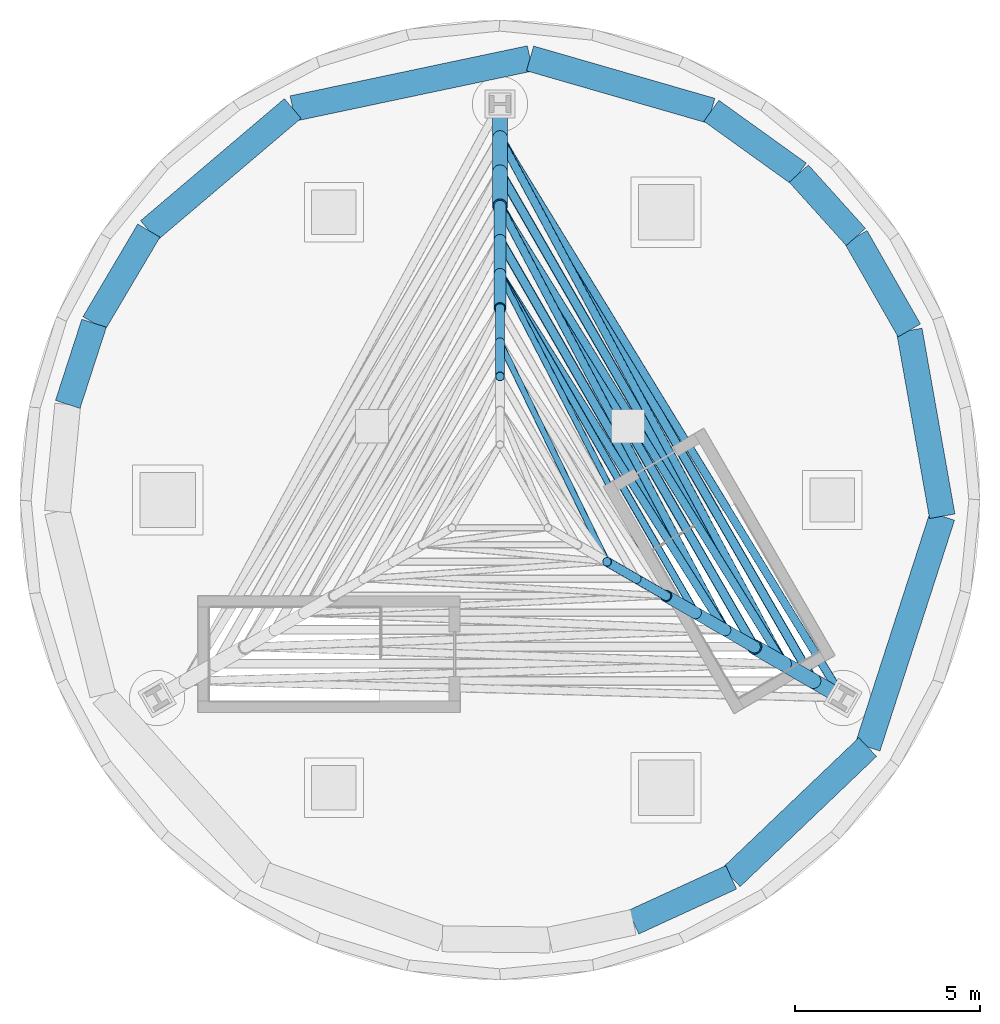
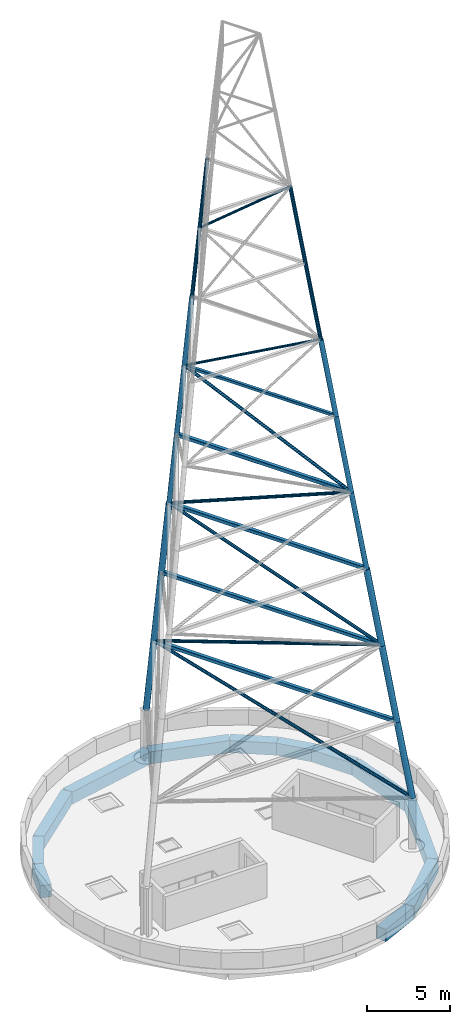
# One storey, part 2 of 4: 28 members, 12 beams.
"""IFC4 building model written with IfcOpenShell, lengths in metres."""

from ifc_helpers import new_model, si_unit, direction, frame, origin, origin_2d, place, context, subcontext, project, spatial, rectangle, hollow_rectangle, hollow_circle, extrude, material, material_profile, profile_set, type_object, element, save


model = new_model("IFC4")

# Units and contexts
model_context = context("Model", 3, precision=1e-05, world=origin(), true_north=direction((0.0, 1.0)))
body_context = subcontext(model_context, "Body", "Model", "MODEL_VIEW")
ifc_project = project(units=[si_unit("LENGTHUNIT", "METRE"), si_unit("AREAUNIT", "SQUARE_METRE"), si_unit("VOLUMEUNIT", "CUBIC_METRE"), si_unit("PLANEANGLEUNIT", "RADIAN"), si_unit("MASSUNIT", "GRAM", prefix="KILO")], contexts=[model_context])

# Site, building, storey
site_placement = place(None, origin())
site = spatial("IfcSite", under=ifc_project, at=site_placement, CompositionType="ELEMENT")
building_placement = place(site_placement, origin())
building = spatial("IfcBuilding", under=site, at=building_placement, Name="Tramontana Tower", CompositionType="ELEMENT")
storey_placement = place(building_placement, frame((0.0, 0.0, 392.89990234375)))
storey = spatial("IfcBuildingStorey", under=building, at=storey_placement, Name="RF", CompositionType="ELEMENT", Elevation=392.89990234375)

# Members
ifc_material_1 = material(Name="Steel ASTM A500 Grade C", Category="steel")
ifc_material_profile_1 = material_profile(ifc_material_1, hollow_circle(Radius=0.126953125, WallThickness=0.01171875, at=origin_2d()), Name="HSS10.000X0.500")
ifc_profile_set_1 = profile_set([ifc_material_profile_1], Name="Steel ASTM A500 Grade C")
member_type_1 = type_object("IfcMemberType", Name="Mast HSS10.000X0.500 chord", PredefinedType="CHORD", material=ifc_profile_set_1)
for number, where, z_axis, x_axis, name in (
    (1, (0.0, 5.18994140625, 37.440185546875), (0.0, -0.161398546018, 0.98688930957), (1.0, 0.0, 0.0), "Mast leg 1.7"),
    (2, (4.49462890625, -2.594970703125, 37.440185546875), (-0.139781776217, 0.080699197822, 0.986888390097), (-0.499982117899, -0.866035727774, 0.0), "Mast leg 3.7"),
):
    element("IfcMember", number, at=place(storey_placement, frame(where, z_axis=z_axis, x_axis=x_axis)), inside=storey, type_object=member_type_1, Name=name, PredefinedType="CHORD", context=body_context, shape_type="SweptSolid", body=[
        extrude(hollow_circle(Radius=0.126953125, WallThickness=0.01171875, at=origin_2d()), origin(), (0.0, 0.0, 1.0), 5.71484375),
    ])
for number, where, z_axis, x_axis, name in (
    (3, (0.0, 4.267578125, 43.080078125), (0.0, -0.161433347342, 0.986883617437), (1.0, 0.0, 0.0), "Mast leg 1.8"),
    (4, (3.69580078125, -2.1337890625, 43.080078125), (-0.139775883199, 0.080695795649, 0.986889502954), (-0.499982117899, -0.866035727774, 0.0), "Mast leg 3.8"),
):
    element("IfcMember", number, at=place(storey_placement, frame(where, z_axis=z_axis, x_axis=x_axis)), inside=storey, type_object=member_type_1, Name=name, PredefinedType="CHORD", context=body_context, shape_type="SweptSolid", body=[
        extrude(hollow_circle(Radius=0.126953125, WallThickness=0.01171875, at=origin_2d()), origin(), (0.0, 0.0, 1.0), 5.715087890625),
    ])
ifc_material_2 = material(Name="Steel ASTM A500 Grade C", Category="steel")
ifc_material_profile_2 = material_profile(ifc_material_2, hollow_rectangle(XDim=0.25390625, YDim=0.25390625, WallThickness=0.01171875, InnerFilletRadius=0.01171875, OuterFilletRadius=0.023681640625, at=origin_2d()), Name="HSS10X10X1/2")
ifc_profile_set_2 = profile_set([ifc_material_profile_2], Name="Steel ASTM A500 Grade C")
member_type_2 = type_object("IfcMemberType", Name="Mast HSS10X10X1/2 strut", PredefinedType="STRUT", material=ifc_profile_set_2)
member_1_placement = place(storey_placement, frame((8.4892578125, -4.9013671875, 9.239990234375), z_axis=(-0.499999194801, 0.866025868666, 0.0), x_axis=(-0.866025868666, -0.499999194801, 0.0)))
element("IfcMember", 5, at=member_1_placement, inside=storey, type_object=member_type_2, Name="Mast ring brace 3.1", PredefinedType="STRUT", context=body_context, shape_type="SweptSolid", body=[
    extrude(hollow_rectangle(XDim=0.25390625, YDim=0.25390625, WallThickness=0.01171875, InnerFilletRadius=0.01171875, OuterFilletRadius=0.023681640625, at=origin_2d()), origin(), (0.0, 0.0, 1.0), 16.978515625),
])
member_2_placement = place(storey_placement, frame((7.690185546875, -4.43994140625, 14.880126953125), z_axis=(-0.499999095372, 0.866025926071, 0.0), x_axis=(-0.866025926071, -0.499999095372, 0.0)))
element("IfcMember", 6, at=member_2_placement, inside=storey, type_object=member_type_2, Name="Mast ring brace 3.2", PredefinedType="STRUT", context=body_context, shape_type="SweptSolid", body=[
    extrude(hollow_rectangle(XDim=0.25390625, YDim=0.25390625, WallThickness=0.01171875, InnerFilletRadius=0.01171875, OuterFilletRadius=0.023681640625, at=origin_2d()), origin(), (0.0, 0.0, 1.0), 15.38037109375),
])
member_3_placement = place(storey_placement, frame((6.891357421875, -3.978759765625, 20.52001953125), z_axis=(-0.499996917715, 0.866027183335, 0.0), x_axis=(-0.866027183335, -0.499996917715, 0.0)))
element("IfcMember", 7, at=member_3_placement, inside=storey, type_object=member_type_2, Name="Mast ring brace 3.3", PredefinedType="STRUT", context=body_context, shape_type="SweptSolid", body=[
    extrude(hollow_rectangle(XDim=0.25390625, YDim=0.25390625, WallThickness=0.01171875, InnerFilletRadius=0.01171875, OuterFilletRadius=0.023681640625, at=origin_2d()), origin(), (0.0, 0.0, 1.0), 13.78271484375),
])
member_4_placement = place(storey_placement, frame((6.092529296875, -3.517578125, 26.16015625), z_axis=(-0.500002844856, 0.8660237613, 0.0), x_axis=(-0.8660237613, -0.500002844856, 0.0)))
element("IfcMember", 8, at=member_4_placement, inside=storey, type_object=member_type_2, Name="Mast ring brace 3.4", PredefinedType="STRUT", context=body_context, shape_type="SweptSolid", body=[
    extrude(hollow_rectangle(XDim=0.25390625, YDim=0.25390625, WallThickness=0.01171875, InnerFilletRadius=0.01171875, OuterFilletRadius=0.023681640625, at=origin_2d()), origin(), (0.0, 0.0, 1.0), 12.18505859375),
])
ifc_material_3 = material(Name="Steel ASTM A500 Grade C", Category="steel")
ifc_material_profile_3 = material_profile(ifc_material_3, hollow_circle(Radius=0.161865234375, WallThickness=0.01171875, at=origin_2d()), Name="HSS12.750X0.500")
ifc_profile_set_3 = profile_set([ifc_material_profile_3], Name="Steel ASTM A500 Grade C")
member_type_3 = type_object("IfcMemberType", Name="Mast HSS12.750X0.500 chord", PredefinedType="CHORD", material=ifc_profile_set_3)
for number, where, z_axis, x_axis, name in (
    (9, (0.0, 7.95751953125, 20.52001953125), (0.0, -0.161433347342, 0.986883617437), (1.0, 0.0, 0.0), "Mast leg 1.4"),
    (10, (6.891357421875, -3.978759765625, 20.52001953125), (-0.139775883199, 0.080695795649, 0.986889502954), (-0.499982117899, -0.866035727774, 0.0), "Mast leg 3.4"),
):
    element("IfcMember", number, at=place(storey_placement, frame(where, z_axis=z_axis, x_axis=x_axis)), inside=storey, type_object=member_type_3, Name=name, PredefinedType="CHORD", context=body_context, shape_type="SweptSolid", body=[
        extrude(hollow_circle(Radius=0.161865234375, WallThickness=0.01171875, at=origin_2d()), origin(), (0.0, 0.0, 1.0), 5.715087890625),
    ])
for number, where, z_axis, x_axis, name in (
    (11, (0.0, 7.034912109375, 26.16015625), (0.0, -0.161398546018, 0.98688930957), (1.0, 0.0, 0.0), "Mast leg 1.5"),
    (12, (6.092529296875, -3.517578125, 26.16015625), (-0.139781776217, 0.080699197822, 0.986888390097), (-0.499982117899, -0.866035727774, 0.0), "Mast leg 3.5"),
):
    element("IfcMember", number, at=place(storey_placement, frame(where, z_axis=z_axis, x_axis=x_axis)), inside=storey, type_object=member_type_3, Name=name, PredefinedType="CHORD", context=body_context, shape_type="SweptSolid", body=[
        extrude(hollow_circle(Radius=0.161865234375, WallThickness=0.01171875, at=origin_2d()), origin(), (0.0, 0.0, 1.0), 5.71484375),
    ])
for number, where, z_axis, x_axis, name in (
    (13, (0.0, 6.112548828125, 31.800048828125), (0.0, -0.161433347342, 0.986883617437), (1.0, 0.0, 0.0), "Mast leg 1.6"),
    (14, (5.293701171875, -3.056396484375, 31.800048828125), (-0.139817284902, 0.080737753885, 0.986880206479), (-0.500065993159, -0.865987299264, 0.0), "Mast leg 3.6"),
):
    element("IfcMember", number, at=place(storey_placement, frame(where, z_axis=z_axis, x_axis=x_axis)), inside=storey, type_object=member_type_3, Name=name, PredefinedType="CHORD", context=body_context, shape_type="SweptSolid", body=[
        extrude(hollow_circle(Radius=0.161865234375, WallThickness=0.01171875, at=origin_2d()), origin(), (0.0, 0.0, 1.0), 5.715087890625),
    ])
ifc_material_4 = material(Name="Steel ASTM A500 Grade C", Category="steel")
ifc_material_profile_4 = material_profile(ifc_material_4, hollow_circle(Radius=0.203125, WallThickness=0.01171875, at=origin_2d()), Name="HSS16.000X0.500")
ifc_profile_set_4 = profile_set([ifc_material_profile_4], Name="Steel ASTM A500 Grade C")
member_type_4 = type_object("IfcMemberType", Name="Mast HSS16.000X0.500 chord", PredefinedType="CHORD", material=ifc_profile_set_4)
for number, where, z_axis, x_axis, name in (
    (15, (0.0, 10.72509765625, 3.64013671875), (0.0, -0.162564054295, 0.986697992423), (1.0, 0.0, 0.0), "Mast leg 1.1"),
    (16, (9.2880859375, -5.362548828125, 3.64013671875), (-0.140754909345, 0.081261009705, 0.986703959553), (-0.499982117899, -0.866035727774, 0.0), "Mast leg 3.1"),
):
    element("IfcMember", number, at=place(storey_placement, frame(where, z_axis=z_axis, x_axis=x_axis)), inside=storey, type_object=member_type_4, Name=name, PredefinedType="CHORD", context=body_context, shape_type="SweptSolid", body=[
        extrude(hollow_circle(Radius=0.203125, WallThickness=0.01171875, at=origin_2d()), origin(), (0.0, 0.0, 1.0), 5.67529296875),
    ])
for number, where, z_axis, x_axis, name in (
    (17, (0.0, 9.802490234375, 9.239990234375), (0.0, -0.161433347342, 0.986883617437), (1.0, 0.0, 0.0), "Mast leg 1.2"),
    (18, (8.4892578125, -4.9013671875, 9.239990234375), (-0.139817284902, 0.080737753885, 0.986880206479), (-0.500065993159, -0.865987299264, 0.0), "Mast leg 3.2"),
):
    element("IfcMember", number, at=place(storey_placement, frame(where, z_axis=z_axis, x_axis=x_axis)), inside=storey, type_object=member_type_4, Name=name, PredefinedType="CHORD", context=body_context, shape_type="SweptSolid", body=[
        extrude(hollow_circle(Radius=0.203125, WallThickness=0.01171875, at=origin_2d()), origin(), (0.0, 0.0, 1.0), 5.715087890625),
    ])
for number, where, z_axis, x_axis, name in (
    (19, (0.0, 8.8798828125, 14.880126953125), (0.0, -0.161398546018, 0.98688930957), (1.0, 0.0, 0.0), "Mast leg 1.3"),
    (20, (7.690185546875, -4.43994140625, 14.880126953125), (-0.139781776217, 0.080699197822, 0.986888390097), (-0.499982117899, -0.866035727774, 0.0), "Mast leg 3.3"),
):
    element("IfcMember", number, at=place(storey_placement, frame(where, z_axis=z_axis, x_axis=x_axis)), inside=storey, type_object=member_type_4, Name=name, PredefinedType="CHORD", context=body_context, shape_type="SweptSolid", body=[
        extrude(hollow_circle(Radius=0.203125, WallThickness=0.01171875, at=origin_2d()), origin(), (0.0, 0.0, 1.0), 5.71484375),
    ])
ifc_material_5 = material(Name="Steel ASTM A500 Grade C", Category="steel")
ifc_material_profile_5 = material_profile(ifc_material_5, hollow_circle(Radius=0.084228515625, WallThickness=0.006591796875, at=origin_2d()), Name="HSS6.625X0.280")
ifc_profile_set_5 = profile_set([ifc_material_profile_5], Name="Steel ASTM A500 Grade C")
member_type_5 = type_object("IfcMemberType", Name="Mast HSS6.625X0.280 brace", PredefinedType="BRACE", material=ifc_profile_set_5)
member_5_placement = place(storey_placement, frame((0.0, 6.112548828125, 31.800048828125), z_axis=(0.397531103296, -0.770143635532, 0.498846471936), x_axis=(0.888602968484, 0.458677189755, 0.0)))
element("IfcMember", 21, at=member_5_placement, inside=storey, type_object=member_type_5, Name="Mast diagonal 3.6", PredefinedType="BRACE", context=body_context, shape_type="SweptSolid", body=[
    extrude(hollow_circle(Radius=0.084228515625, WallThickness=0.006591796875, at=origin_2d()), origin(), (0.0, 0.0, 1.0), 11.306396484375),
])
member_6_placement = place(storey_placement, frame((0.0, 4.267578125, 43.080078125), z_axis=(0.333427501097, -0.683686543839, 0.649152379095), x_axis=(0.89880891526, 0.43834065959, 0.0)))
element("IfcMember", 22, at=member_6_placement, inside=storey, type_object=member_type_5, Name="Mast diagonal 3.8", PredefinedType="BRACE", context=body_context, shape_type="SweptSolid", body=[
    extrude(hollow_circle(Radius=0.084228515625, WallThickness=0.006591796875, at=origin_2d()), origin(), (0.0, 0.0, 1.0), 8.6884765625),
])
ifc_material_6 = material(Name="Steel ASTM A500 Grade C", Category="steel")
ifc_material_profile_6 = material_profile(ifc_material_6, hollow_circle(Radius=0.109619140625, WallThickness=0.01171875, at=origin_2d()), Name="HSS8.625X0.500")
ifc_profile_set_6 = profile_set([ifc_material_profile_6], Name="Steel ASTM A500 Grade C")
member_type_6 = type_object("IfcMemberType", Name="Mast HSS8.625X0.500 brace", PredefinedType="BRACE", material=ifc_profile_set_6)
member_7_placement = place(storey_placement, frame((9.2880859375, -5.362548828125, 3.60009765625), z_axis=(-0.497854085478, 0.812866795645, 0.302305941242), x_axis=(-0.852766949899, -0.522291613143, 0.0)))
element("IfcMember", 23, at=member_7_placement, inside=storey, type_object=member_type_6, Name="Mast diagonal 3.1", PredefinedType="BRACE", context=body_context, shape_type="SweptSolid", body=[
    extrude(hollow_circle(Radius=0.109619140625, WallThickness=0.01171875, at=origin_2d()), origin(), (0.0, 0.0, 1.0), 18.65625),
])
member_8_placement = place(storey_placement, frame((0.0, 9.802490234375, 9.239990234375), z_axis=(0.448655683116, -0.830922460585, 0.329053099824), x_axis=(0.879924189408, 0.47511411355, 0.0)))
element("IfcMember", 24, at=member_8_placement, inside=storey, type_object=member_type_6, Name="Mast diagonal 3.2", PredefinedType="BRACE", context=body_context, shape_type="SweptSolid", body=[
    extrude(hollow_circle(Radius=0.109619140625, WallThickness=0.01171875, at=origin_2d()), origin(), (0.0, 0.0, 1.0), 17.140625),
])
member_9_placement = place(storey_placement, frame((7.690185546875, -4.43994140625, 14.880126953125), z_axis=(-0.491664890788, 0.792620183314, 0.36058130868), x_axis=(-0.849787254709, -0.527125812054, 0.0)))
element("IfcMember", 25, at=member_9_placement, inside=storey, type_object=member_type_6, Name="Mast diagonal 3.3", PredefinedType="BRACE", context=body_context, shape_type="SweptSolid", body=[
    extrude(hollow_circle(Radius=0.109619140625, WallThickness=0.01171875, at=origin_2d()), origin(), (0.0, 0.0, 1.0), 15.64111328125),
])
member_10_placement = place(storey_placement, frame((0.0, 7.95751953125, 20.52001953125), z_axis=(0.430153624808, -0.810181553725, 0.398213145274), x_axis=(0.883231016993, 0.468938130911, 0.0)))
element("IfcMember", 26, at=member_10_placement, inside=storey, type_object=member_type_6, Name="Mast diagonal 3.4", PredefinedType="BRACE", context=body_context, shape_type="SweptSolid", body=[
    extrude(hollow_circle(Radius=0.109619140625, WallThickness=0.01171875, at=origin_2d()), origin(), (0.0, 0.0, 1.0), 14.16357421875),
])
member_11_placement = place(storey_placement, frame((6.092529296875, -3.517578125, 26.16015625), z_axis=(-0.479167563144, 0.75739389013, 0.4435684182), x_axis=(-0.845078836052, -0.534641712604, 0.0)))
element("IfcMember", 27, at=member_11_placement, inside=storey, type_object=member_type_6, Name="Mast diagonal 3.5", PredefinedType="BRACE", context=body_context, shape_type="SweptSolid", body=[
    extrude(hollow_circle(Radius=0.109619140625, WallThickness=0.01171875, at=origin_2d()), origin(), (0.0, 0.0, 1.0), 12.71484375),
])
ifc_material_7 = material(Name="Steel ASTM A500 Grade C", Category="steel")
ifc_material_profile_7 = material_profile(ifc_material_7, hollow_rectangle(XDim=0.203125, YDim=0.203125, WallThickness=0.0087890625, InnerFilletRadius=0.0087890625, OuterFilletRadius=0.017822265625, at=origin_2d()), Name="HSS8X8X3/8")
ifc_profile_set_7 = profile_set([ifc_material_profile_7], Name="Steel ASTM A500 Grade C")
member_type_7 = type_object("IfcMemberType", Name="Mast HSS8X8X3/8 strut", PredefinedType="STRUT", material=ifc_profile_set_7)
member_12_placement = place(storey_placement, frame((5.293701171875, -3.056396484375, 31.800048828125), z_axis=(-0.500000575745, 0.866025071378, 0.0), x_axis=(-0.866025071378, -0.500000575745, 0.0)))
element("IfcMember", 28, at=member_12_placement, inside=storey, type_object=member_type_7, Name="Mast ring brace 3.5", PredefinedType="STRUT", context=body_context, shape_type="SweptSolid", body=[
    extrude(hollow_rectangle(XDim=0.203125, YDim=0.203125, WallThickness=0.0087890625, InnerFilletRadius=0.0087890625, OuterFilletRadius=0.017822265625, at=origin_2d()), origin(), (0.0, 0.0, 1.0), 10.58740234375),
])

# Beams
ifc_material_8 = material(Name="Concrete 40 MPa", Category="concrete")
ifc_material_profile_8 = material_profile(ifc_material_8, rectangle(XDim=0.699951171875, YDim=0.89990234375, at=origin_2d()), Name="RC RING BEAM 700X900 40 MPa")
ifc_profile_set_8 = profile_set([ifc_material_profile_8], Name="Concrete 40 MPa")
beam_type = type_object("IfcBeamType", Name="RC RING BEAM 700X900 40 MPa", PredefinedType="BEAM", material=ifc_profile_set_8)
beam_1_placement = place(storey_placement, frame((3.613037109375, -11.43701171875, -0.7998046875), z_axis=(0.908727499038, 0.417389904636, 0.0), x_axis=(-0.417389904636, 0.908727499038, 0.0)))
element("IfcBeam", 29, at=beam_1_placement, inside=storey, type_object=beam_type, Name="Drum ring beam 06", PredefinedType="BEAM", context=body_context, shape_type="SweptSolid", body=[
    extrude(rectangle(XDim=0.699951171875, YDim=0.89990234375, at=origin_2d()), origin(), (0.0, 0.0, 1.0), 2.915283203125),
])
beam_2_placement = place(storey_placement, frame((6.26220703125, -10.22021484375, -0.7998046875), z_axis=(0.723369640513, 0.690460978756, 0.0), x_axis=(-0.690460978756, 0.723369640513, 0.0)))
element("IfcBeam", 30, at=beam_2_placement, inside=storey, type_object=beam_type, Name="Drum ring beam 07", PredefinedType="BEAM", context=body_context, shape_type="SweptSolid", body=[
    extrude(rectangle(XDim=0.699951171875, YDim=0.89990234375, at=origin_2d()), origin(), (0.0, 0.0, 1.0), 5.111572265625),
])
beam_3_placement = place(storey_placement, frame((9.959716796875, -6.69091796875, -0.7998046875), z_axis=(0.307326402011, 0.951604162783, 0.0), x_axis=(-0.951604162783, 0.307326402011, 0.0)))
element("IfcBeam", 31, at=beam_3_placement, inside=storey, type_object=beam_type, Name="Drum ring beam 08", PredefinedType="BEAM", context=body_context, shape_type="SweptSolid", body=[
    extrude(rectangle(XDim=0.699951171875, YDim=0.89990234375, at=origin_2d()), origin(), (0.0, 0.0, 1.0), 6.568115234375),
])
beam_4_placement = place(storey_placement, frame((11.978271484375, -0.440673828125, -0.7998046875), z_axis=(-0.174512735412, 0.9846549168, 0.0), x_axis=(-0.9846549168, -0.174512735412, 0.0)))
element("IfcBeam", 32, at=beam_4_placement, inside=storey, type_object=beam_type, Name="Drum ring beam 09", PredefinedType="BEAM", context=body_context, shape_type="SweptSolid", body=[
    extrude(rectangle(XDim=0.699951171875, YDim=0.89990234375, at=origin_2d()), origin(), (0.0, 0.0, 1.0), 5.11181640625),
])
beam_5_placement = place(storey_placement, frame((11.086181640625, 4.5927734375, -0.7998046875), z_axis=(-0.496418432606, 0.868083371439, 0.0), x_axis=(-0.868083371439, -0.496418432606, 0.0)))
element("IfcBeam", 33, at=beam_5_placement, inside=storey, type_object=beam_type, Name="Drum ring beam 10", PredefinedType="BEAM", context=body_context, shape_type="SweptSolid", body=[
    extrude(rectangle(XDim=0.699951171875, YDim=0.89990234375, at=origin_2d()), origin(), (0.0, 0.0, 1.0), 2.916015625),
])
beam_6_placement = place(storey_placement, frame((9.638671875, 7.1240234375, -0.7998046875), z_axis=(-0.66910481303, 0.743168049085, 0.0), x_axis=(-0.743168049085, -0.66910481303, 0.0)))
element("IfcBeam", 34, at=beam_6_placement, inside=storey, type_object=beam_type, Name="Drum ring beam 11", PredefinedType="BEAM", context=body_context, shape_type="SweptSolid", body=[
    extrude(rectangle(XDim=0.699951171875, YDim=0.89990234375, at=origin_2d()), origin(), (0.0, 0.0, 1.0), 2.310791015625),
])
beam_7_placement = place(storey_placement, frame((8.092529296875, 8.84130859375, -0.7998046875), z_axis=(-0.812140603879, 0.583461772124, 0.0), x_axis=(-0.583461772124, -0.812140603879, 0.0)))
element("IfcBeam", 35, at=beam_7_placement, inside=storey, type_object=beam_type, Name="Drum ring beam 12", PredefinedType="BEAM", context=body_context, shape_type="SweptSolid", body=[
    extrude(rectangle(XDim=0.699951171875, YDim=0.89990234375, at=origin_2d()), origin(), (0.0, 0.0, 1.0), 2.915771484375),
])
beam_8_placement = place(storey_placement, frame((5.724609375, 10.54248046875, -0.7998046875), z_axis=(-0.96077783596, 0.277319220263, 0.0), x_axis=(-0.277319220263, -0.96077783596, 0.0)))
element("IfcBeam", 36, at=beam_8_placement, inside=storey, type_object=beam_type, Name="Drum ring beam 13", PredefinedType="BEAM", context=body_context, shape_type="SweptSolid", body=[
    extrude(rectangle(XDim=0.699951171875, YDim=0.89990234375, at=origin_2d()), origin(), (0.0, 0.0, 1.0), 5.111328125),
])
beam_9_placement = place(storey_placement, frame((0.813720703125, 11.9599609375, -0.7998046875), z_axis=(-0.978457399691, -0.206448824142, 0.0), x_axis=(0.206448824142, -0.978457399691, 0.0)))
element("IfcBeam", 37, at=beam_9_placement, inside=storey, type_object=beam_type, Name="Drum ring beam 14", PredefinedType="BEAM", context=body_context, shape_type="SweptSolid", body=[
    extrude(rectangle(XDim=0.699951171875, YDim=0.89990234375, at=origin_2d()), origin(), (0.0, 0.0, 1.0), 6.568115234375),
])
beam_10_placement = place(storey_placement, frame((-5.61279296875, 10.60400390625, -0.7998046875), z_axis=(-0.762510563368, -0.646975765197, 0.0), x_axis=(0.646975765197, -0.762510563368, 0.0)))
element("IfcBeam", 38, at=beam_10_placement, inside=storey, type_object=beam_type, Name="Drum ring beam 15", PredefinedType="BEAM", context=body_context, shape_type="SweptSolid", body=[
    extrude(rectangle(XDim=0.699951171875, YDim=0.89990234375, at=origin_2d()), origin(), (0.0, 0.0, 1.0), 5.111572265625),
])
beam_11_placement = place(storey_placement, frame((-9.510498046875, 7.296875, -0.7998046875), z_axis=(-0.508955024835, -0.860793112597, 0.0), x_axis=(0.860793112597, -0.508955024835, 0.0)))
element("IfcBeam", 39, at=beam_11_placement, inside=storey, type_object=beam_type, Name="Drum ring beam 16", PredefinedType="BEAM", context=body_context, shape_type="SweptSolid", body=[
    extrude(rectangle(XDim=0.699951171875, YDim=0.89990234375, at=origin_2d()), origin(), (0.0, 0.0, 1.0), 2.9150390625),
])
beam_12_placement = place(storey_placement, frame((-10.994140625, 4.78759765625, -0.7998046875), z_axis=(-0.308582174349, -0.951197688009, 0.0), x_axis=(0.951197688009, -0.308582174349, 0.0)))
element("IfcBeam", 40, at=beam_12_placement, inside=storey, type_object=beam_type, Name="Drum ring beam 17", PredefinedType="BEAM", context=body_context, shape_type="SweptSolid", body=[
    extrude(rectangle(XDim=0.699951171875, YDim=0.89990234375, at=origin_2d()), origin(), (0.0, 0.0, 1.0), 2.311767578125),
])

save(model, "model.ifc")
